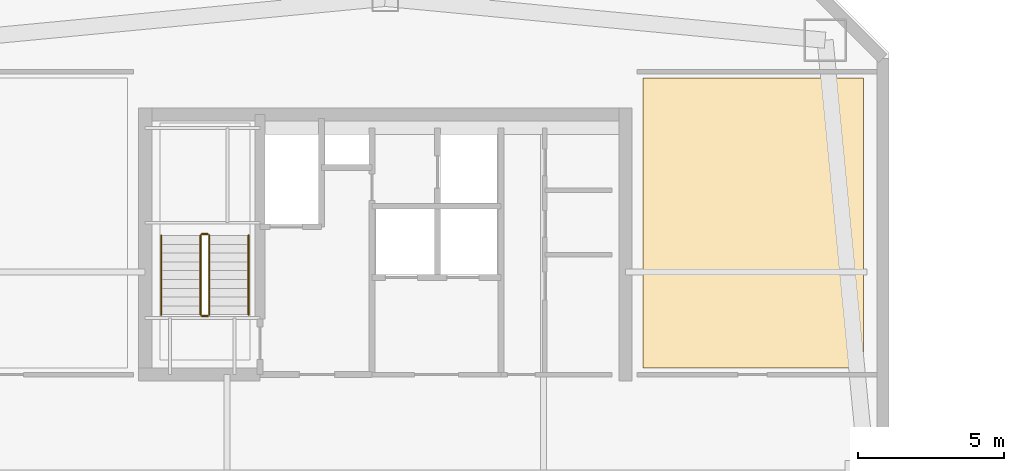
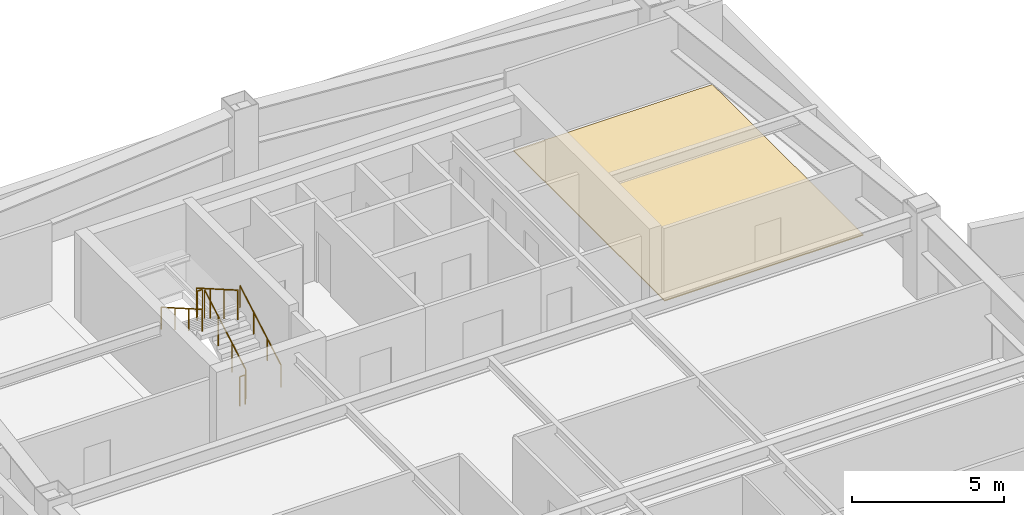
# One storey, part 16 of 19: 6 railings, 1 covering.
"""IFC4 building model written with IfcOpenShell, lengths in metres."""

from ifc_helpers import new_model, si_unit, direction, frame, origin, origin_2d, place, context, subcontext, project, spatial, polyline, circle, outline, extrude, material, layer, layer_set, type_object, element, save


model = new_model("IFC4")

# Units and contexts
model_context = context("Model", 3, precision=1e-05, world=origin(), true_north=direction((0.0, 1.0)))
body_context = subcontext(model_context, "Body", "Model", "MODEL_VIEW")
ifc_project = project(units=[si_unit("LENGTHUNIT", "METRE"), si_unit("AREAUNIT", "SQUARE_METRE"), si_unit("VOLUMEUNIT", "CUBIC_METRE"), si_unit("PLANEANGLEUNIT", "RADIAN"), si_unit("MASSUNIT", "GRAM", prefix="KILO")], contexts=[model_context])

# Site, building, storey
site_placement = place(None, origin())
site = spatial("IfcSite", under=ifc_project, at=site_placement, CompositionType="ELEMENT")
building_placement = place(site_placement, origin())
building = spatial("IfcBuilding", under=site, at=building_placement, Name="Qiaolan Cultural Towers", CompositionType="ELEMENT")
storey_placement = place(building_placement, frame((0.0, 0.0, 216.199951171875)))
storey = spatial("IfcBuildingStorey", under=building, at=storey_placement, Name="L58", CompositionType="ELEMENT", Elevation=216.199951171875)

# Covering
ifc_material_1 = material(Name="Honed Terrazzo & Raised Access Flooring", Category="concrete")
ifc_layer = layer(ifc_material_1, 0.0400390625)
ifc_layer_set = layer_set([ifc_layer], Name="Honed Terrazzo & Raised Access Flooring")
covering_type = type_object("IfcCoveringType", Name="COV-FLR-STONE", PredefinedType="FLOORING", material=ifc_layer_set)
covering_placement = place(storey_placement, origin())
element("IfcCovering", 1, at=covering_placement, inside=storey, type_object=covering_type, Name="L58 Corner Sky Park Cultural Salon Finish Flooring", PredefinedType="FLOORING", context=body_context, shape_type="SweptSolid", body=[
    extrude(outline(polyline([(46.330078125, 46.6201171875), (46.330078125, 56.530029296875), (38.800048828125, 56.530029296875), (38.800048828125, 46.6201171875), (46.330078125, 46.6201171875)])), origin(), (0.0, 0.0, 1.0), 0.0400390625),
])

# Railings
ifc_material_2 = material(Name="Galvanized Painted Steel Stair Guardrail", Category="steel")
railing_type_1 = type_object("IfcRailingType", Name="RL-STAIR-GRD", PredefinedType="GUARDRAIL", material=ifc_material_2)
railing_1_placement = place(storey_placement, frame((23.989990234375, 48.449951171875, 0.172607421875)))
element("IfcRailing", 2, at=railing_1_placement, inside=storey, type_object=railing_type_1, Name="L58 ST-W2 stair guard 1", PredefinedType="GUARDRAIL", context=body_context, shape_type="SweptSolid", body=[
    extrude(circle(Radius=0.02392578125, at=origin_2d()), frame((0.0, 0.0, 1.17578125), z_axis=(0.0, 0.866903762492, 0.498475542607), x_axis=(-1.0, 0.0, 0.0)), (0.0, 0.0, 1.0), 3.114501953125),
    extrude(circle(Radius=0.02099609375, at=origin_2d()), origin(), (0.0, 0.0, 1.0), 1.15185546875),
    extrude(circle(Radius=0.02099609375, at=origin_2d()), frame((0.0, 0.89990234375, 0.517578125)), (0.0, 0.0, 1.0), 1.15185546875),
    extrude(circle(Radius=0.02099609375, at=origin_2d()), frame((0.0, 1.800048828125, 1.034912109375)), (0.0, 0.0, 1.0), 1.15185546875),
    extrude(circle(Radius=0.02099609375, at=origin_2d()), frame((0.0, 2.699951171875, 1.552490234375)), (0.0, 0.0, 1.0), 1.15185546875),
])
railing_2_placement = place(storey_placement, frame((23.93994140625, 51.199951171875, 1.72509765625)))
element("IfcRailing", 3, at=railing_2_placement, inside=storey, type_object=railing_type_1, Name="L58 ST-W2 stair guard 2", PredefinedType="GUARDRAIL", context=body_context, shape_type="SweptSolid", body=[
    extrude(circle(Radius=0.02392578125, at=origin_2d()), frame((0.0, 0.0, 1.17578125), z_axis=(-1.0, 0.0, 0.0), x_axis=(0.0, -1.0, 0.0)), (0.0, 0.0, 1.0), 0.199951171875),
    extrude(circle(Radius=0.02099609375, at=origin_2d()), origin(), (0.0, 0.0, 1.0), 1.15185546875),
    extrude(circle(Radius=0.02099609375, at=origin_2d()), frame((-0.199951171875, 0.0, 0.0)), (0.0, 0.0, 1.0), 1.15185546875),
])
railing_3_placement = place(storey_placement, frame((23.68994140625, 51.14990234375, 1.8974609375)))
element("IfcRailing", 4, at=railing_3_placement, inside=storey, type_object=railing_type_1, Name="L58 ST-W2 stair guard 3", PredefinedType="GUARDRAIL", context=body_context, shape_type="SweptSolid", body=[
    extrude(circle(Radius=0.02392578125, at=origin_2d()), frame((0.0, 0.0, 1.17578125), z_axis=(0.0, -0.866903762492, 0.498475542607), x_axis=(1.0, 0.0, 0.0)), (0.0, 0.0, 1.0), 3.114501953125),
    extrude(circle(Radius=0.02099609375, at=origin_2d()), origin(), (0.0, 0.0, 1.0), 1.15185546875),
    extrude(circle(Radius=0.02099609375, at=origin_2d()), frame((0.0, -0.89990234375, 0.517578125)), (0.0, 0.0, 1.0), 1.15185546875),
    extrude(circle(Radius=0.02099609375, at=origin_2d()), frame((0.0, -1.800048828125, 1.034912109375)), (0.0, 0.0, 1.0), 1.15185546875),
    extrude(circle(Radius=0.02099609375, at=origin_2d()), frame((0.0, -2.699951171875, 1.552490234375)), (0.0, 0.0, 1.0), 1.15185546875),
])
railing_4_placement = place(storey_placement, frame((23.93994140625, 48.39990234375, 0.0)))
element("IfcRailing", 5, at=railing_4_placement, inside=storey, type_object=railing_type_1, Name="L58 ST-W2 stair guard 4", PredefinedType="GUARDRAIL", context=body_context, shape_type="SweptSolid", body=[
    extrude(circle(Radius=0.02392578125, at=origin_2d()), frame((0.0, 0.0, 1.17578125), z_axis=(-1.0, 0.0, 0.0), x_axis=(0.0, -1.0, 0.0)), (0.0, 0.0, 1.0), 0.199951171875),
    extrude(circle(Radius=0.02099609375, at=origin_2d()), origin(), (0.0, 0.0, 1.0), 1.15185546875),
    extrude(circle(Radius=0.02099609375, at=origin_2d()), frame((-0.199951171875, 0.0, 0.0)), (0.0, 0.0, 1.0), 1.15185546875),
])
ifc_material_3 = material(Name="Stainless Steel S30408 Tubular Handrail", Category="steel")
railing_type_2 = type_object("IfcRailingType", Name="RL-STAIR-HR", PredefinedType="HANDRAIL", material=ifc_material_3)
railing_5_placement = place(storey_placement, frame((25.330078125, 48.449951171875, 0.172607421875)))
element("IfcRailing", 6, at=railing_5_placement, inside=storey, type_object=railing_type_2, Name="L58 ST-W2 stair handrail 1", PredefinedType="HANDRAIL", context=body_context, shape_type="SweptSolid", body=[
    extrude(circle(Radius=0.02392578125, at=origin_2d()), frame((0.0, 0.0, 0.8759765625), z_axis=(0.0, 0.866903762492, 0.498475542607), x_axis=(-1.0, 0.0, 0.0)), (0.0, 0.0, 1.0), 3.114501953125),
    extrude(circle(Radius=0.02099609375, at=origin_2d()), origin(), (0.0, 0.0, 1.0), 0.851806640625),
    extrude(circle(Radius=0.02099609375, at=origin_2d()), frame((0.0, 0.89990234375, 0.517578125)), (0.0, 0.0, 1.0), 0.851806640625),
    extrude(circle(Radius=0.02099609375, at=origin_2d()), frame((0.0, 1.800048828125, 1.034912109375)), (0.0, 0.0, 1.0), 0.851806640625),
    extrude(circle(Radius=0.02099609375, at=origin_2d()), frame((0.0, 2.699951171875, 1.552490234375)), (0.0, 0.0, 1.0), 0.851806640625),
])
railing_6_placement = place(storey_placement, frame((22.35009765625, 51.14990234375, 1.8974609375)))
element("IfcRailing", 7, at=railing_6_placement, inside=storey, type_object=railing_type_2, Name="L58 ST-W2 stair handrail 2", PredefinedType="HANDRAIL", context=body_context, shape_type="SweptSolid", body=[
    extrude(circle(Radius=0.02392578125, at=origin_2d()), frame((0.0, 0.0, 0.8759765625), z_axis=(0.0, -0.866903762492, 0.498475542607), x_axis=(1.0, 0.0, 0.0)), (0.0, 0.0, 1.0), 3.114501953125),
    extrude(circle(Radius=0.02099609375, at=origin_2d()), origin(), (0.0, 0.0, 1.0), 0.851806640625),
    extrude(circle(Radius=0.02099609375, at=origin_2d()), frame((0.0, -0.89990234375, 0.517578125)), (0.0, 0.0, 1.0), 0.851806640625),
    extrude(circle(Radius=0.02099609375, at=origin_2d()), frame((0.0, -1.800048828125, 1.034912109375)), (0.0, 0.0, 1.0), 0.851806640625),
    extrude(circle(Radius=0.02099609375, at=origin_2d()), frame((0.0, -2.699951171875, 1.552490234375)), (0.0, 0.0, 1.0), 0.851806640625),
])

save(model, "model.ifc")
